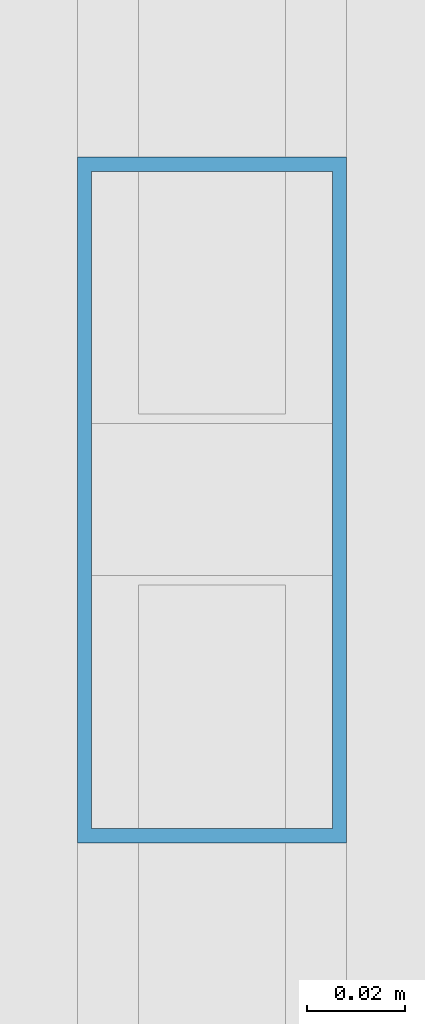
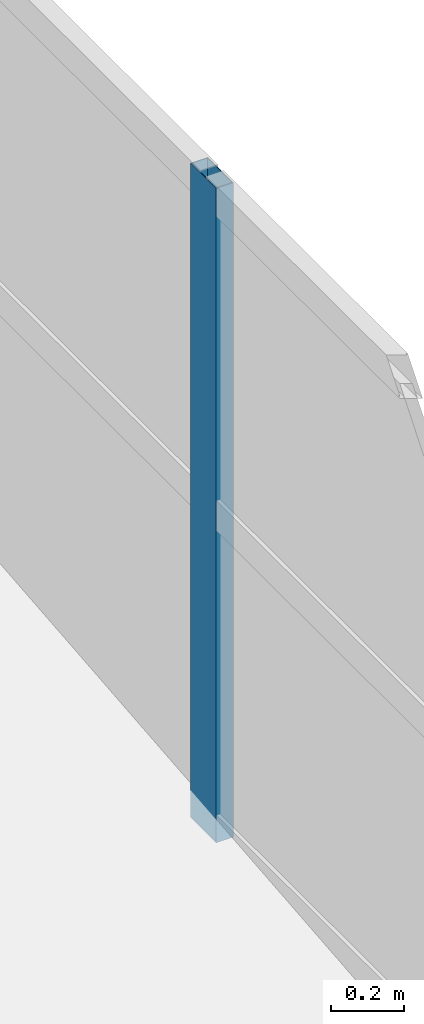
# One storey, part 56 of 397: 1 member, 1 element without a shape of its own.
"""IFC4 building model written with IfcOpenShell, lengths in metres."""

from ifc_helpers import new_model, si_unit, direction, frame, origin, origin_2d, place, context, subcontext, project, spatial, hollow_rectangle, extrude, material, material_profile, profile_set, type_object, element, aggregate, save


model = new_model("IFC4")

# Units and contexts
model_context = context("Model", 3, precision=1e-05, world=origin(), true_north=direction((0.0, 1.0)))
body_context = subcontext(model_context, "Body", "Model", "MODEL_VIEW")
ifc_project = project(units=[si_unit("LENGTHUNIT", "METRE"), si_unit("AREAUNIT", "SQUARE_METRE"), si_unit("VOLUMEUNIT", "CUBIC_METRE"), si_unit("PLANEANGLEUNIT", "RADIAN"), si_unit("MASSUNIT", "GRAM", prefix="KILO")], contexts=[model_context])

# Site, building, storey
site_placement = place(None, origin())
site = spatial("IfcSite", under=ifc_project, at=site_placement, CompositionType="ELEMENT")
building_placement = place(site_placement, origin())
building = spatial("IfcBuilding", under=site, at=building_placement, Name="Qandorah Velis Arena", CompositionType="ELEMENT")
storey_placement = place(building_placement, frame((0.0, 0.0, 27.5)))
storey = spatial("IfcBuildingStorey", under=building, at=storey_placement, Name="RF", CompositionType="ELEMENT", Elevation=27.5)

# Curtain wall, member
ifc_material_1 = material(Name="Solar-control low-E double glazing", Category="glass")
curtain_wall_type = type_object("IfcCurtainWallType", Name="ARC-CW-SYS06", PredefinedType="USERDEFINED", material=ifc_material_1)
curtain_wall_placement = place(storey_placement, origin())
curtain_wall = element("IfcCurtainWall", 1, at=curtain_wall_placement, inside=storey, type_object=curtain_wall_type, Name="Unitised curtain wall OCULUS-1-1", ObjectType="UNITISED CURTAIN WALL", PredefinedType="USERDEFINED")
ifc_material_2 = material(Name="Champagne-bronze anodized aluminium 6063-T6", Category="aluminium")
ifc_material_profile = material_profile(ifc_material_2, hollow_rectangle(XDim=0.054931640625, YDim=0.139892578125, WallThickness=0.0029296875, at=origin_2d()), Name="ALU MULLION 55x140")
ifc_profile_set = profile_set([ifc_material_profile], Name="Champagne-bronze anodized aluminium 6063-T6")
member_type = type_object("IfcMemberType", Name="ARC-CWM-140", PredefinedType="MULLION", material=ifc_profile_set)
member_placement = place(storey_placement, frame((28.800048828125, 35.23876953125, 8.470947265625), z_axis=(0.0, 0.0, 1.0), x_axis=(-1.0, 0.0, 0.0)))
member = element("IfcMember", 2, at=member_placement, type_object=member_type, Name="CW06 mullion 5", PredefinedType="MULLION", context=body_context, shape_type="SweptSolid", body=[
    extrude(hollow_rectangle(XDim=0.054931640625, YDim=0.139892578125, WallThickness=0.0029296875, at=origin_2d()), origin(), (0.0, 0.0, 1.0), 2.179931640625),
])
aggregate(curtain_wall, [member])

save(model, "model.ifc")
